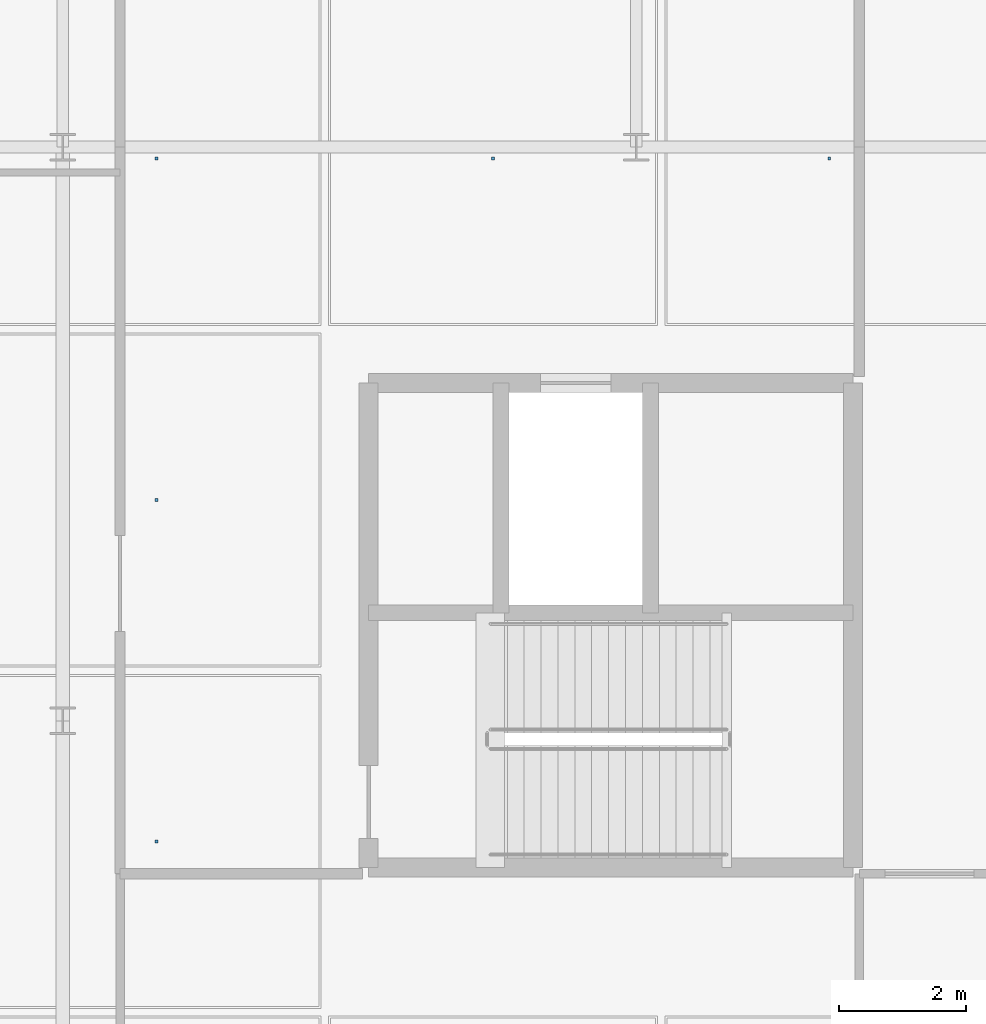
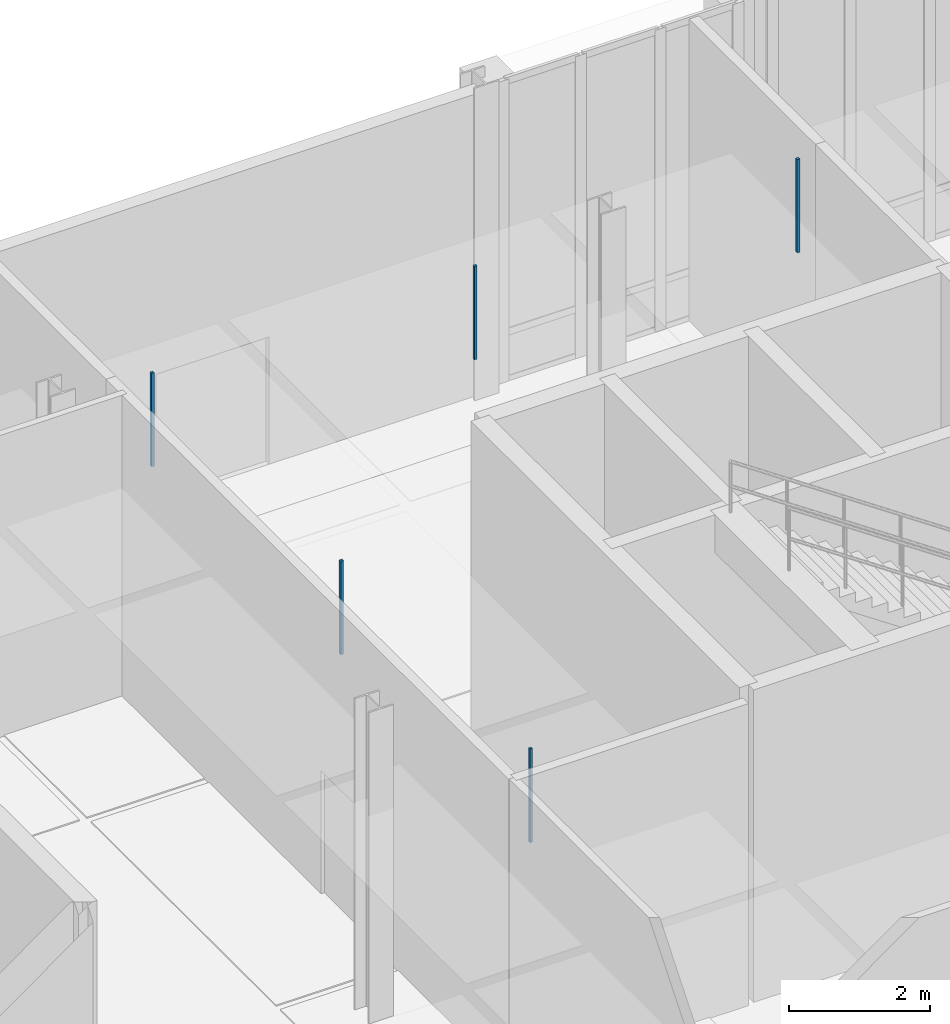
# One storey, part 159 of 180: 5 discrete accessories.
"""IFC4 building model written with IfcOpenShell, lengths in metres."""

from ifc_helpers import new_model, si_unit, direction, frame, origin, origin_2d, place, context, subcontext, project, spatial, rectangle, extrude, material, type_object, element, save


model = new_model("IFC4")

# Units and contexts
model_context = context("Model", 3, precision=1e-05, world=origin(), true_north=direction((0.0, 1.0)))
body_context = subcontext(model_context, "Body", "Model", "MODEL_VIEW")
ifc_project = project(units=[si_unit("LENGTHUNIT", "METRE"), si_unit("AREAUNIT", "SQUARE_METRE"), si_unit("VOLUMEUNIT", "CUBIC_METRE"), si_unit("PLANEANGLEUNIT", "RADIAN"), si_unit("MASSUNIT", "GRAM", prefix="KILO"), si_unit("THERMODYNAMICTEMPERATUREUNIT", "KELVIN"), si_unit("POWERUNIT", "WATT")], contexts=[model_context])

# Site, building, storey
site_placement = place(None, origin())
site = spatial("IfcSite", under=ifc_project, at=site_placement, CompositionType="ELEMENT")
building_placement = place(site_placement, origin())
building = spatial("IfcBuilding", under=site, at=building_placement, Name="Tallowbark Science Centre", CompositionType="ELEMENT")
storey_placement = place(building_placement, origin())
storey = spatial("IfcBuildingStorey", under=building, at=storey_placement, Name="L00", CompositionType="ELEMENT", Elevation=0.0)

# Discrete accessories
ifc_material = material(Name="Galvanised Steel Grade C350L0 (350 MPa)", Category="steel")
discrete_accessory_type = type_object("IfcDiscreteAccessoryType", Name="ACC-CLG-HNG", PredefinedType="BRACKET", material=ifc_material)
for number, where, z_axis, x_axis, name in (
    (1, (131.97216796875, 97.107177734375, 3.60595703125), (0.0, 0.0, 1.0), (1.0, 0.0, 0.0), "Ceiling Hanger Bracket L00-431"),
    (2, (131.97216796875, 102.46435546875, 3.60595703125), (0.0, 0.0, 1.0), (1.0, 0.0, 0.0), "Ceiling Hanger Bracket L00-432"),
    (3, (131.97216796875, 107.8212890625, 3.60595703125), (0.0, 0.0, 1.0), (1.0, 0.0, 0.0), "Ceiling Hanger Bracket L00-433"),
    (4, (137.25, 107.8212890625, 3.60595703125), (0.0, 0.0, 1.0), (1.0, 0.0, 0.0), "Ceiling Hanger Bracket L00-438"),
    (5, (142.52783203125, 107.8212890625, 3.60595703125), (0.0, 0.0, 1.0), (1.0, 0.0, 0.0), "Ceiling Hanger Bracket L00-443"),
):
    element("IfcDiscreteAccessory", number, at=place(storey_placement, frame(where, z_axis=z_axis, x_axis=x_axis)), inside=storey, type_object=discrete_accessory_type, Name=name, PredefinedType="BRACKET", context=body_context, shape_type="SweptSolid", body=[
        extrude(rectangle(XDim=0.044921875, YDim=0.044921875, at=origin_2d()), origin(), (0.0, 0.0, 1.0), 1.616943359375),
    ])

save(model, "model.ifc")
